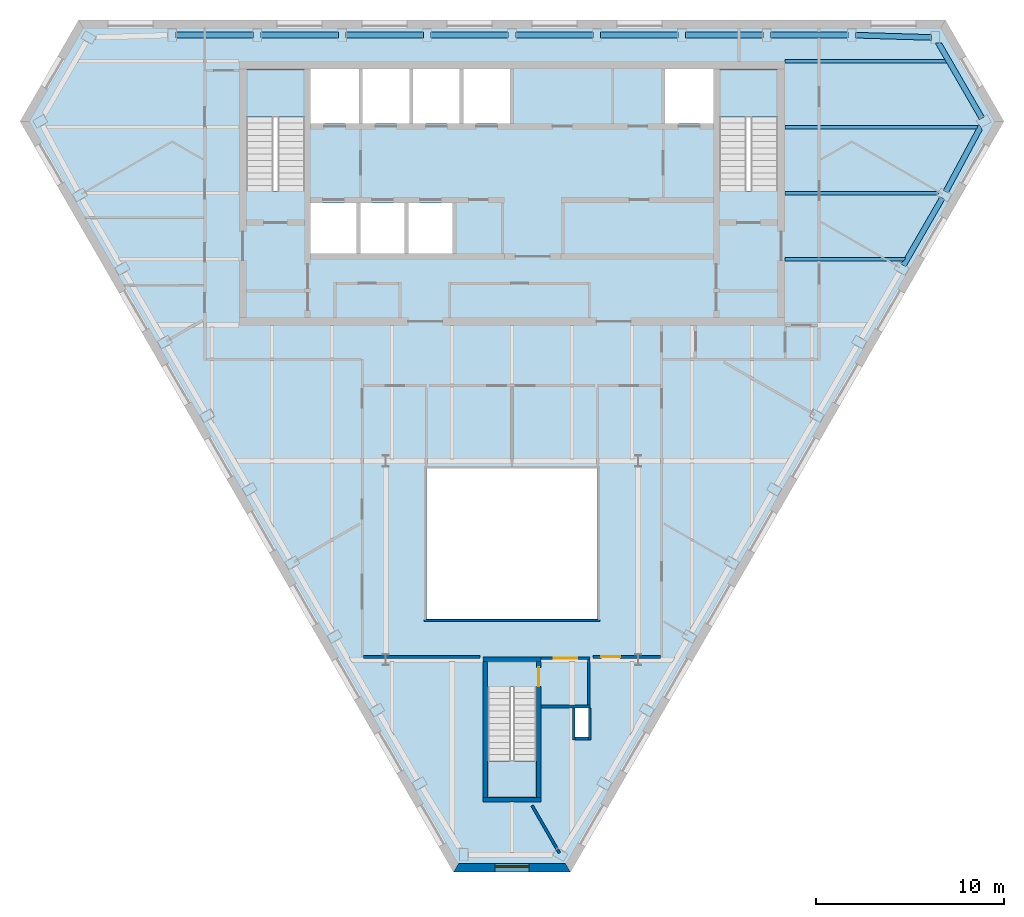
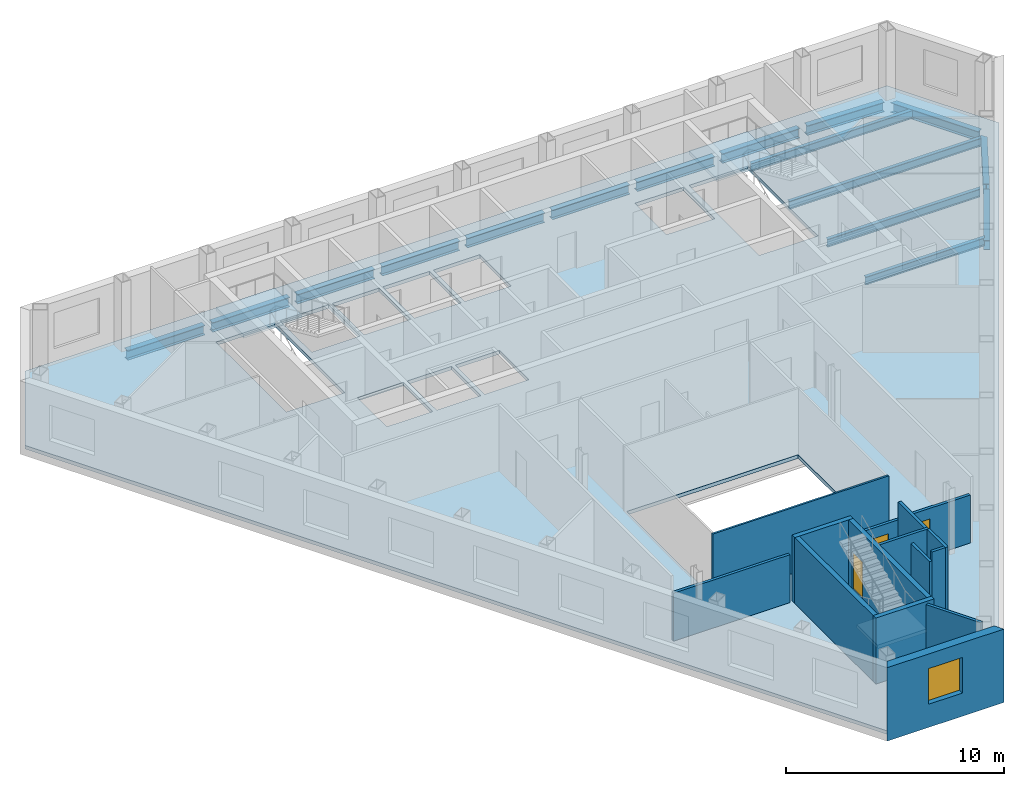
# One storey, part 3 of 10: 16 beams, 15 walls, 4 slabs, 3 doors, 1 window, 4 openings, 3 elements without a shape of their own.
"""IFC4 building model written with IfcOpenShell, lengths in metres."""

import ifcopenshell
import ifcopenshell.guid

model = None  # the IFC model being written
_history = None  # IfcOwnerHistory: only IFC2X3 demands one
_inside = {}  # id of a spatial element -> (the spatial element, [elements in it])
_under = {}  # id of a project, library or spatial element -> (it, [spatial elements below it])
_declared = {}  # id of a project -> (the project, [libraries it declares])
_typed = {}  # id of a type object -> (the type object, [elements of that type])
_made_of = {}  # id of a material, layer set ... -> (it, [elements and type objects made of it])


def new_model(schema):
    """Start an empty IFC model of exactly this schema.

    Asked for "IFC4X3", IfcOpenShell would pick the latest addendum, in which some entities
    have other attributes; the version numbers below select the first issue.
    IFC2X3 requires an IfcOwnerHistory on every rooted entity: one is made here for all.
    """
    global model, _history
    if schema == "IFC4X3":
        model = ifcopenshell.file(schema_version=(4, 3, 0, 0))
    else:
        model = ifcopenshell.file(schema=schema)
    _inside.clear()
    _under.clear()
    _declared.clear()
    _typed.clear()
    _made_of.clear()
    _history = None
    if model.schema == "IFC2X3":
        org = make("IfcOrganization", Name="unknown")
        user = make(
            "IfcPersonAndOrganization",
            ThePerson=make("IfcPerson", FamilyName="unknown"),
            TheOrganization=org,
        )
        app = make(
            "IfcApplication",
            ApplicationDeveloper=org,
            Version="unknown",
            ApplicationFullName="unknown",
            ApplicationIdentifier="unknown",
        )
        _history = make(
            "IfcOwnerHistory",
            OwningUser=user,
            OwningApplication=app,
            ChangeAction="ADDED",
            CreationDate=0,
        )
    return model


def make(cls, **values):
    """One entity of the class cls with the attributes given. An attribute that is None is left unset."""
    return model.create_entity(
        cls, **{name: value for name, value in values.items() if value is not None}
    )


def rooted(cls, **values):
    """An entity with a GlobalId (a new one), such as an element, a storey or a relation."""
    return make(cls, GlobalId=ifcopenshell.guid.new(), OwnerHistory=_history, **values)


def si_unit(unit_type, name, prefix=None):
    """IfcSIUnit, for example si_unit("LENGTHUNIT", "METRE", prefix="MILLI")."""
    return make("IfcSIUnit", UnitType=unit_type, Prefix=prefix, Name=name)


def assignment(units):
    """IfcUnitAssignment: the units of a project."""
    return None if units is None else make("IfcUnitAssignment", Units=units)


def point(xyz):
    """IfcCartesianPoint."""
    return None if xyz is None else make("IfcCartesianPoint", Coordinates=xyz)


def direction(xyz):
    """IfcDirection."""
    return None if xyz is None else make("IfcDirection", DirectionRatios=xyz)


def frame(location, z_axis=None, x_axis=None):
    """IfcAxis2Placement3D, a coordinate frame: its origin and axes. An axis left out is left unset."""
    return make(
        "IfcAxis2Placement3D",
        Location=point(location),
        Axis=direction(z_axis),
        RefDirection=direction(x_axis),
    )


def frame_2d(location, x_axis=None):
    """IfcAxis2Placement2D, a coordinate frame in the plane: its origin and x axis."""
    return make(
        "IfcAxis2Placement2D", Location=point(location), RefDirection=direction(x_axis)
    )


def origin():
    """The frame at (0, 0, 0) with its axes left unset."""
    return frame((0.0, 0.0, 0.0))


def origin_2d():
    """The frame at (0, 0) in the plane with its x axis left unset."""
    return frame_2d((0.0, 0.0))


def place(relative_to, where):
    """IfcLocalPlacement: puts the frame where relative to a parent placement (None: the world)."""
    return make(
        "IfcLocalPlacement", PlacementRelTo=relative_to, RelativePlacement=where
    )


def context(
    kind, dimensions, precision=None, world=None, true_north=None, identifier=None
):
    """IfcGeometricRepresentationContext, for example the 3D "Model" context."""
    return make(
        "IfcGeometricRepresentationContext",
        ContextIdentifier=identifier,
        ContextType=kind,
        CoordinateSpaceDimension=dimensions,
        Precision=precision,
        WorldCoordinateSystem=world,
        TrueNorth=true_north,
    )


def subcontext(parent, identifier, kind, view, scale=None):
    """IfcGeometricRepresentationSubContext, for example "Body" below "Model"."""
    return make(
        "IfcGeometricRepresentationSubContext",
        ContextIdentifier=identifier,
        ContextType=kind,
        ParentContext=parent,
        TargetScale=scale,
        TargetView=view,
    )


def project(units=None, contexts=None):
    """IfcProject with its units and contexts."""
    return rooted(
        "IfcProject",
        Name="project",
        RepresentationContexts=contexts,
        UnitsInContext=assignment(units),
    )


def spatial(cls, under=None, at=None, **own):
    """A site, building, storey or space (cls), placed at a placement, below another one or the project."""
    s = rooted(cls, ObjectPlacement=at, **own)
    if under is not None:
        _under.setdefault(under.id(), (under, []))[1].append(s)
    return s


def polyline(points):
    """IfcPolyline through the points."""
    return make("IfcPolyline", Points=[point(p) for p in points])


def profile(cls, at=None, kind="AREA", **sizes):
    """A parametric profile (cls). Its sizes go by their IFC names, for example OverallWidth=200.0."""
    return make(cls, ProfileType=kind, Position=at, **sizes)


def rectangle(**sizes):
    """IfcRectangleProfileDef."""
    return profile("IfcRectangleProfileDef", **sizes)


def i_section(**sizes):
    """IfcIShapeProfileDef."""
    return profile("IfcIShapeProfileDef", **sizes)


def outline(outer, holes=None, kind="AREA"):
    """IfcArbitraryClosedProfileDef: a profile drawn as a closed curve; with holes, ...WithVoids."""
    if holes is None:
        return make("IfcArbitraryClosedProfileDef", ProfileType=kind, OuterCurve=outer)
    return make(
        "IfcArbitraryProfileDefWithVoids",
        ProfileType=kind,
        OuterCurve=outer,
        InnerCurves=holes,
    )


def extrude(swept, where, along, depth):
    """IfcExtrudedAreaSolid: the profile swept, set in the frame where, extruded along a direction by depth."""
    return make(
        "IfcExtrudedAreaSolid",
        SweptArea=swept,
        Position=where,
        ExtrudedDirection=direction(along),
        Depth=depth,
    )


def clip(a, b, op="DIFFERENCE"):
    """IfcBooleanClippingResult: the solid a cut by the half space b."""
    return make(
        "IfcBooleanClippingResult", Operator=op, FirstOperand=a, SecondOperand=b
    )


def halfspace(plane, agree):
    """IfcHalfSpaceSolid: all space on one side of the plane z = 0 of the frame plane."""
    return make(
        "IfcHalfSpaceSolid",
        BaseSurface=make("IfcPlane", Position=plane),
        AgreementFlag=agree,
    )


def shape(context_of_items, identifier, shape_type, items):
    """IfcShapeRepresentation: the items that make up one representation, for example the "Body"."""
    return make(
        "IfcShapeRepresentation",
        ContextOfItems=context_of_items,
        RepresentationIdentifier=identifier,
        RepresentationType=shape_type,
        Items=items,
    )


def material(Name=None, Category=None):
    """IfcMaterial."""
    return make("IfcMaterial", Name=Name, Category=Category)


def layer(
    of_material, thickness, ventilated=None, Name=None, Category=None, Priority=None
):
    """IfcMaterialLayer: one layer of a wall or slab, of a material (None: an air gap)."""
    return make(
        "IfcMaterialLayer",
        Material=of_material,
        LayerThickness=thickness,
        IsVentilated=ventilated,
        Name=Name,
        Category=Category,
        Priority=Priority,
    )


def layer_set(layers, Name=None):
    """IfcMaterialLayerSet."""
    return make("IfcMaterialLayerSet", MaterialLayers=layers, LayerSetName=Name)


def material_profile(
    of_material, cross_section, Name=None, Category=None, Priority=None
):
    """IfcMaterialProfile: a cross section and its material."""
    return make(
        "IfcMaterialProfile",
        Name=Name,
        Material=of_material,
        Profile=cross_section,
        Priority=Priority,
        Category=Category,
    )


def profile_set(profiles, Name=None, composite=None):
    """IfcMaterialProfileSet."""
    return make(
        "IfcMaterialProfileSet",
        Name=Name,
        MaterialProfiles=profiles,
        CompositeProfile=composite,
    )


def made_of(thing, what):
    """Note that an element or type object is made of a material, layer set ...; save() writes the relation."""
    if what is not None:
        _made_of.setdefault(what.id(), (what, []))[1].append(thing)
    return thing


def type_object(cls, material=None, **own):
    """A type object (cls), such as IfcWallType, which elements share."""
    return made_of(rooted(cls, **own), material)


def element(
    cls,
    number,
    at=None,
    inside=None,
    cuts=None,
    type_object=None,
    material=None,
    context=None,
    identifier="Body",
    shape_type=None,
    held_by="IfcProductDefinitionShape",
    body=None,
    shapes=None,
    **own,
):
    """One element of the class cls, such as IfcWall. Its Tag is "e" and its number.

    at: its placement. inside: the storey or other place that contains it. cuts: it is an
    opening in that element (IfcRelVoidsElement). A single representation is given by context,
    identifier, shape_type and body (its items); several are given by shapes. held_by: the class
    of the entity that holds the representations. save() writes the other relations.
    """
    e = rooted(cls, Tag="e%d" % number, ObjectPlacement=at, **own)
    if body is not None:
        shapes = [shape(context, identifier, shape_type, body)]
    if shapes is not None:
        e.Representation = make(held_by, Representations=shapes)
    if inside is not None:
        _inside.setdefault(inside.id(), (inside, []))[1].append(e)
    if cuts is not None:
        rooted(
            "IfcRelVoidsElement", RelatingBuildingElement=cuts, RelatedOpeningElement=e
        )
    if type_object is not None:
        _typed.setdefault(type_object.id(), (type_object, []))[1].append(e)
    return made_of(e, material)


def fill(opening, filler):
    """IfcRelFillsElement: the door or window that sits in an opening."""
    return rooted(
        "IfcRelFillsElement",
        RelatingOpeningElement=opening,
        RelatedBuildingElement=filler,
    )


def aggregate(whole, parts):
    """IfcRelAggregates: a whole, such as a stair, and the parts it consists of."""
    return rooted("IfcRelAggregates", RelatingObject=whole, RelatedObjects=parts)


def save(model, path):
    """Write the relations noted so far, then the file.

    IfcRelAggregates (storeys below a building ...), IfcRelContainedInSpatialStructure (elements
    in a storey), IfcRelDefinesByType, IfcRelAssociatesMaterial and IfcRelDeclares: one each for
    every whole, place, type object, material and project.
    """
    for whole, parts in _under.values():
        aggregate(whole, parts)
    for where, things in _inside.values():
        rooted(
            "IfcRelContainedInSpatialStructure",
            RelatedElements=things,
            RelatingStructure=where,
        )
    for kind, things in _typed.values():
        rooted("IfcRelDefinesByType", RelatedObjects=things, RelatingType=kind)
    for what, things in _made_of.values():
        rooted("IfcRelAssociatesMaterial", RelatedObjects=things, RelatingMaterial=what)
    for by, libraries in _declared.values():
        rooted("IfcRelDeclares", RelatingContext=by, RelatedDefinitions=libraries)
    model.write(path)


model = new_model("IFC4")

# Units and contexts
model_context = context("Model", 3, precision=1e-05, world=origin(), true_north=direction((0.0, 1.0)))
body_context = subcontext(model_context, "Body", "Model", "MODEL_VIEW")
ifc_project = project(units=[si_unit("LENGTHUNIT", "METRE"), si_unit("AREAUNIT", "SQUARE_METRE"), si_unit("VOLUMEUNIT", "CUBIC_METRE"), si_unit("PLANEANGLEUNIT", "RADIAN"), si_unit("MASSUNIT", "GRAM", prefix="KILO")], contexts=[model_context])

# Site, building, storey
site_placement = place(None, origin())
site = spatial("IfcSite", under=ifc_project, at=site_placement, CompositionType="ELEMENT")
building_placement = place(site_placement, origin())
building = spatial("IfcBuilding", under=site, at=building_placement, Name="Njiva Tower", CompositionType="ELEMENT")
storey_placement = place(building_placement, frame((0.0, 0.0, 253.2)))
storey = spatial("IfcBuildingStorey", under=building, at=storey_placement, Name="L57", CompositionType="ELEMENT", Elevation=253.2)

# Beams
ifc_material_1 = material(Name="Steel S355 J2", Category="steel")
ifc_material_profile_1 = material_profile(ifc_material_1, i_section(OverallWidth=0.19, OverallDepth=0.45, WebThickness=0.0094, FlangeThickness=0.0146, at=origin_2d()), Name="IPE 450")
ifc_profile_set_1 = profile_set([ifc_material_profile_1], Name="Steel S355 J2")
beam_type_1 = type_object("IfcBeamType", Name="B37 Floor beam to the core IPE 450", PredefinedType="BEAM", material=ifc_profile_set_1)
beam_1_placement = place(storey_placement, frame((14.5, 7.5, -0.425), z_axis=(1.0, 0.0, 0.0), x_axis=(0.0, 1.0, 0.0)))
element("IfcBeam", 1, at=beam_1_placement, inside=storey, type_object=beam_type_1, Name="Floor beam to the core S18-B015", PredefinedType="BEAM", context=body_context, shape_type="Clipping", body=[
    clip(extrude(i_section(OverallWidth=0.19, OverallDepth=0.45, WebThickness=0.0094, FlangeThickness=0.0146, at=origin_2d()), origin(), (0.0, 0.0, 1.0), 6.418), halfspace(frame((-0.025, 0.0, 6.329), z_axis=(-0.499998009787, 0.0, 0.866026552831), x_axis=(0.0, 1.0, 0.0)), False)),
])
beam_2_placement = place(storey_placement, frame((14.5, 11.0, -0.425), z_axis=(1.0, 0.0, 0.0), x_axis=(0.0, 1.0, 0.0)))
element("IfcBeam", 2, at=beam_2_placement, inside=storey, type_object=beam_type_1, Name="Floor beam to the core S18-B016", PredefinedType="BEAM", context=body_context, shape_type="Clipping", body=[
    clip(extrude(i_section(OverallWidth=0.19, OverallDepth=0.45, WebThickness=0.0094, FlangeThickness=0.0146, at=origin_2d()), origin(), (0.0, 0.0, 1.0), 8.209), halfspace(frame((-0.025, 0.0, 8.1191), z_axis=(-0.499998009787, 0.0, 0.866026552831), x_axis=(0.0, 1.0, 0.0)), False)),
])
beam_3_placement = place(storey_placement, frame((14.5, 18.0, -0.425), z_axis=(1.0, 0.0, 0.0), x_axis=(0.0, 1.0, 0.0)))
element("IfcBeam", 3, at=beam_3_placement, inside=storey, type_object=beam_type_1, Name="Floor beam to the core S18-B019", PredefinedType="BEAM", context=body_context, shape_type="Clipping", body=[
    clip(extrude(i_section(OverallWidth=0.19, OverallDepth=0.45, WebThickness=0.0094, FlangeThickness=0.0146, at=origin_2d()), origin(), (0.0, 0.0, 1.0), 8.657), halfspace(frame((0.025, 0.0, 8.5678), z_axis=(0.499998009787, 0.0, 0.866026552831), x_axis=(0.0, 1.0, 0.0)), False)),
])
ifc_material_profile_2 = material_profile(ifc_material_1, i_section(OverallWidth=0.3, OverallDepth=0.54, WebThickness=0.0125, FlangeThickness=0.024, at=origin_2d()), Name="HEA 550")
ifc_profile_set_2 = profile_set([ifc_material_profile_2], Name="Steel S355 J2")
beam_type_2 = type_object("IfcBeamType", Name="B39 Short-span spandrel beam HEA 550", PredefinedType="SPANDREL", material=ifc_profile_set_2)
beam_4_placement = place(storey_placement, frame((22.262, 19.273, -0.47), z_axis=(-0.999548216451, 0.030055997562, 0.0), x_axis=(-0.030055997562, -0.999548216451, 0.0)))
element("IfcBeam", 4, at=beam_4_placement, inside=storey, type_object=beam_type_2, Name="Short-span spandrel beam S18-B137", PredefinedType="SPANDREL", context=body_context, shape_type="SweptSolid", body=[
    extrude(i_section(OverallWidth=0.3, OverallDepth=0.54, WebThickness=0.0125, FlangeThickness=0.024, at=origin_2d()), origin(), (0.0, 0.0, 1.0), 4.0258),
])
beam_5_placement = place(storey_placement, frame((17.834, 19.4, -0.47), z_axis=(-1.0, 0.0, 0.0), x_axis=(0.0, -1.0, 0.0)))
element("IfcBeam", 5, at=beam_5_placement, inside=storey, type_object=beam_type_2, Name="Short-span spandrel beam S18-B131", PredefinedType="SPANDREL", context=body_context, shape_type="SweptSolid", body=[
    extrude(i_section(OverallWidth=0.3, OverallDepth=0.54, WebThickness=0.0125, FlangeThickness=0.024, at=origin_2d()), origin(), (0.0, 0.0, 1.0), 4.108),
])
beam_6_placement = place(storey_placement, frame((13.326, 19.4, -0.47), z_axis=(-1.0, 0.0, 0.0), x_axis=(0.0, -1.0, 0.0)))
element("IfcBeam", 6, at=beam_6_placement, inside=storey, type_object=beam_type_2, Name="Short-span spandrel beam S18-B125", PredefinedType="SPANDREL", context=body_context, shape_type="SweptSolid", body=[
    extrude(i_section(OverallWidth=0.3, OverallDepth=0.54, WebThickness=0.0125, FlangeThickness=0.024, at=origin_2d()), origin(), (0.0, 0.0, 1.0), 4.109),
])
beam_7_placement = place(storey_placement, frame((8.817, 19.4, -0.47), z_axis=(-1.0, 0.0, 0.0), x_axis=(0.0, -1.0, 0.0)))
element("IfcBeam", 7, at=beam_7_placement, inside=storey, type_object=beam_type_2, Name="Short-span spandrel beam S18-B119", PredefinedType="SPANDREL", context=body_context, shape_type="SweptSolid", body=[
    extrude(i_section(OverallWidth=0.3, OverallDepth=0.54, WebThickness=0.0125, FlangeThickness=0.024, at=origin_2d()), origin(), (0.0, 0.0, 1.0), 4.108),
])
for number, where, z_axis, x_axis, name in (
    (8, (4.309, 19.4, -0.47), (-1.0, 0.0, 0.0), (0.0, -1.0, 0.0), "Short-span spandrel beam S18-B116"),
    (9, (-0.2, 19.4, -0.47), (-1.0, 0.0, 0.0), (0.0, -1.0, 0.0), "Short-span spandrel beam S18-B113"),
):
    element("IfcBeam", number, at=place(storey_placement, frame(where, z_axis=z_axis, x_axis=x_axis)), inside=storey, type_object=beam_type_2, Name=name, PredefinedType="SPANDREL", context=body_context, shape_type="SweptSolid", body=[
        extrude(i_section(OverallWidth=0.3, OverallDepth=0.54, WebThickness=0.0125, FlangeThickness=0.024, at=origin_2d()), origin(), (0.0, 0.0, 1.0), 4.109),
    ])
beam_8_placement = place(storey_placement, frame((-4.709, 19.4, -0.47), z_axis=(-1.0, 0.0, 0.0), x_axis=(0.0, -1.0, 0.0)))
element("IfcBeam", 10, at=beam_8_placement, inside=storey, type_object=beam_type_2, Name="Short-span spandrel beam S18-B108", PredefinedType="SPANDREL", context=body_context, shape_type="SweptSolid", body=[
    extrude(i_section(OverallWidth=0.3, OverallDepth=0.54, WebThickness=0.0125, FlangeThickness=0.024, at=origin_2d()), origin(), (0.0, 0.0, 1.0), 4.108),
])
beam_9_placement = place(storey_placement, frame((-9.217, 19.4, -0.47), z_axis=(-1.0, 0.0, 0.0), x_axis=(0.0, -1.0, 0.0)))
element("IfcBeam", 11, at=beam_9_placement, inside=storey, type_object=beam_type_2, Name="Short-span spandrel beam S18-B102", PredefinedType="SPANDREL", context=body_context, shape_type="SweptSolid", body=[
    extrude(i_section(OverallWidth=0.3, OverallDepth=0.54, WebThickness=0.0125, FlangeThickness=0.024, at=origin_2d()), origin(), (0.0, 0.0, 1.0), 4.109),
])
beam_10_placement = place(storey_placement, frame((-13.726, 19.4, -0.47), z_axis=(-1.0, 0.0, 0.0), x_axis=(0.0, -1.0, 0.0)))
element("IfcBeam", 12, at=beam_10_placement, inside=storey, type_object=beam_type_2, Name="Short-span spandrel beam S18-B096", PredefinedType="SPANDREL", context=body_context, shape_type="SweptSolid", body=[
    extrude(i_section(OverallWidth=0.3, OverallDepth=0.54, WebThickness=0.0125, FlangeThickness=0.024, at=origin_2d()), origin(), (0.0, 0.0, 1.0), 4.108),
])
beam_11_placement = place(storey_placement, frame((20.778, 7.186, -0.47), z_axis=(0.499961250474, 0.866047774678, 0.0), x_axis=(-0.866047774678, 0.499961250474, 0.0)))
element("IfcBeam", 13, at=beam_11_placement, inside=storey, type_object=beam_type_2, Name="Short-span spandrel beam S18-B141", PredefinedType="SPANDREL", context=body_context, shape_type="SweptSolid", body=[
    extrude(i_section(OverallWidth=0.3, OverallDepth=0.54, WebThickness=0.0125, FlangeThickness=0.024, at=origin_2d()), origin(), (0.0, 0.0, 1.0), 4.1083),
])
beam_12_placement = place(storey_placement, frame((23.028, 11.097, -0.47), z_axis=(0.473930673302, 0.880562159591, 0.0), x_axis=(-0.880562159591, 0.473930673302, 0.0)))
element("IfcBeam", 14, at=beam_12_placement, inside=storey, type_object=beam_type_2, Name="Short-span spandrel beam S18-B145", PredefinedType="SPANDREL", context=body_context, shape_type="Clipping", body=[
    clip(extrude(i_section(OverallWidth=0.3, OverallDepth=0.54, WebThickness=0.0125, FlangeThickness=0.024, at=origin_2d()), origin(), (0.0, 0.0, 1.0), 3.9912), halfspace(frame((-0.026, 0.0, 3.8617), z_axis=(-0.525625818196, 0.0, 0.85071587457), x_axis=(0.0, 1.0, 0.0)), False)),
])
ifc_material_profile_3 = material_profile(ifc_material_1, i_section(OverallWidth=0.3, OverallDepth=0.54, WebThickness=0.0125, FlangeThickness=0.024, at=origin_2d()), Name="HEA 550")
ifc_profile_set_3 = profile_set([ifc_material_profile_3], Name="Steel S355 J2")
beam_type_3 = type_object("IfcBeamType", Name="B44 Spandrel beam HEA 550", PredefinedType="SPANDREL", material=ifc_profile_set_3)
beam_13_placement = place(storey_placement, frame((24.933, 14.995, -0.47), z_axis=(-0.50012503653, 0.865953201874, 0.0), x_axis=(-0.865953201874, -0.50012503653, 0.0)))
element("IfcBeam", 15, at=beam_13_placement, inside=storey, type_object=beam_type_3, Name="Spandrel beam S18-B142", PredefinedType="SPANDREL", context=body_context, shape_type="Clipping", body=[
    clip(extrude(i_section(OverallWidth=0.3, OverallDepth=0.54, WebThickness=0.0125, FlangeThickness=0.024, at=origin_2d()), origin(), (0.0, 0.0, 1.0), 4.6939), halfspace(frame((-0.0254, 0.0, 4.5722), z_axis=(-0.50012503653, 0.0, 0.865953201874), x_axis=(0.0, 1.0, 0.0)), False)),
])
ifc_material_profile_4 = material_profile(ifc_material_1, i_section(OverallWidth=0.19, OverallDepth=0.45, WebThickness=0.0094, FlangeThickness=0.0146, at=origin_2d()), Name="IPE 450")
ifc_profile_set_4 = profile_set([ifc_material_profile_4], Name="Steel S355 J2")
beam_type_4 = type_object("IfcBeamType", Name="B45 Long-span floor beam to the core IPE 450", PredefinedType="BEAM", material=ifc_profile_set_4)
beam_14_placement = place(storey_placement, frame((14.5, 14.5, -0.425), z_axis=(1.0, 0.0, 0.0), x_axis=(0.0, 1.0, 0.0)))
element("IfcBeam", 16, at=beam_14_placement, inside=storey, type_object=beam_type_4, Name="Long-span floor beam to the core S18-B018", PredefinedType="BEAM", context=body_context, shape_type="Clipping", body=[
    clip(extrude(i_section(OverallWidth=0.19, OverallDepth=0.45, WebThickness=0.0094, FlangeThickness=0.0146, at=origin_2d()), origin(), (0.0, 0.0, 1.0), 10.447), halfspace(frame((0.025, 0.0, 10.3581), z_axis=(0.499998009787, 0.0, 0.866026552831), x_axis=(0.0, 1.0, 0.0)), False)),
])

# Stair, slab
ifc_material_2 = material(Name="Concrete C40/50", Category="concrete")
stair_type_1 = type_object("IfcStairType", Name="ST3 Exit stair 1450", PredefinedType="HALF_TURN_STAIR", material=ifc_material_2)
stair_1_placement = place(storey_placement, origin())
stair_1 = element("IfcStair", 17, at=stair_1_placement, inside=storey, type_object=stair_type_1, Name="Stair A", PredefinedType="HALF_TURN_STAIR")
ifc_layer_1 = layer(ifc_material_2, 0.2)
ifc_layer_set_1 = layer_set([ifc_layer_1], Name="Concrete C40/50")
slab_type_1 = type_object("IfcSlabType", Name="FL9 Stair landing 200", PredefinedType="LANDING", material=ifc_layer_set_1)
slab_1_placement = place(storey_placement, frame((0.0, 0.0, 1.75)))
slab_1 = element("IfcSlab", 18, at=slab_1_placement, type_object=slab_type_1, Name="ST-A landing 1", PredefinedType="LANDING", context=body_context, shape_type="SweptSolid", body=[
    extrude(outline(polyline([(-14.106, 15.06), (-10.994, 15.06), (-10.994, 17.6), (-14.106, 17.6), (-14.106, 15.06)])), origin(), (0.0, 0.0, 1.0), 0.2),
])
aggregate(stair_1, [slab_1])

stair_2_placement = place(storey_placement, origin())
stair_2 = element("IfcStair", 19, at=stair_2_placement, inside=storey, type_object=stair_type_1, Name="Stair B", PredefinedType="HALF_TURN_STAIR")
slab_2_placement = place(storey_placement, frame((0.0, 0.0, 1.75)))
slab_2 = element("IfcSlab", 20, at=slab_2_placement, type_object=slab_type_1, Name="ST-B landing 1", PredefinedType="LANDING", context=body_context, shape_type="SweptSolid", body=[
    extrude(outline(polyline([(10.994, 15.06), (14.106, 15.06), (14.106, 17.6), (10.994, 17.6), (10.994, 15.06)])), origin(), (0.0, 0.0, 1.0), 0.2),
])
aggregate(stair_2, [slab_2])

stair_type_2 = type_object("IfcStairType", Name="ST1 Exit stair 1250", PredefinedType="HALF_TURN_STAIR", material=ifc_material_2)
stair_3_placement = place(storey_placement, origin())
stair_3 = element("IfcStair", 21, at=stair_3_placement, inside=storey, type_object=stair_type_2, Name="Stair C", PredefinedType="HALF_TURN_STAIR")
slab_3_placement = place(storey_placement, frame((0.0, 0.0, 1.75)))
slab_3 = element("IfcSlab", 22, at=slab_3_placement, type_object=slab_type_1, Name="ST-C landing 1", PredefinedType="LANDING", context=body_context, shape_type="SweptSolid", body=[
    extrude(outline(polyline([(-1.306, -21.05), (1.306, -21.05), (1.306, -19.12), (-1.306, -19.12), (-1.306, -21.05)])), origin(), (0.0, 0.0, 1.0), 0.2),
])
aggregate(stair_3, [slab_3])

# Slab
ifc_material_3 = material(Name="Concrete C30/37", Category="concrete")
ifc_layer_2 = layer(ifc_material_3, 0.2)
ifc_layer_set_2 = layer_set([ifc_layer_2], Name="Concrete C30/37")
slab_type_2 = type_object("IfcSlabType", Name="SL16 Composite floor slab 200", PredefinedType="FLOOR", material=ifc_layer_set_2)
slab_4_placement = place(storey_placement, frame((0.0, 0.0, -0.2)))
element("IfcSlab", 23, at=slab_4_placement, inside=storey, type_object=slab_type_2, Name="Floor slab L57", PredefinedType="FLOOR", context=body_context, shape_type="SweptSolid", body=[
    extrude(outline(polyline([(25.8502, 14.822), (2.9751, -24.7988), (-2.9751, -24.7988), (-25.8502, 14.822), (-22.8751, 19.975), (22.8751, 19.975), (25.8502, 14.822)]), holes=[polyline([(10.994, 11.13), (14.106, 11.13), (14.106, 17.6), (10.994, 17.6), (10.994, 11.13)]), polyline([(8.125, 14.7), (10.7, 14.7), (10.7, 17.6), (8.125, 17.6), (8.125, 14.7)]), polyline([(4.55, -11.6), (4.55, -3.6), (-4.55, -3.6), (-4.55, -11.6), (4.55, -11.6)]), polyline([(3.35, -17.85), (4.05, -17.85), (4.05, -16.3), (3.35, -16.3), (3.35, -17.85)]), polyline([(-1.306, -21.05), (1.306, -21.05), (1.306, -15.19), (-1.306, -15.19), (-1.306, -21.05)]), polyline([(-2.575, 14.7), (-0.1, 14.7), (-0.1, 17.6), (-2.575, 17.6), (-2.575, 14.7)]), polyline([(-2.775, 14.7), (-2.775, 17.6), (-5.25, 17.6), (-5.25, 14.7), (-2.775, 14.7)]), polyline([(-5.5, 7.8), (-3.15, 7.8), (-3.15, 10.5), (-5.5, 10.5), (-5.5, 7.8)]), polyline([(-7.925, 14.7), (-5.45, 14.7), (-5.45, 17.6), (-7.925, 17.6), (-7.925, 14.7)]), polyline([(-8.05, 7.8), (-5.7, 7.8), (-5.7, 10.5), (-8.05, 10.5), (-8.05, 7.8)]), polyline([(-10.7, 14.7), (-8.125, 14.7), (-8.125, 17.6), (-10.7, 17.6), (-10.7, 14.7)]), polyline([(-8.25, 7.8), (-8.25, 10.5), (-10.7, 10.5), (-10.7, 7.8), (-8.25, 7.8)]), polyline([(-10.994, 11.13), (-10.994, 17.6), (-14.106, 17.6), (-14.106, 11.13), (-10.994, 11.13)])]), origin(), (0.0, 0.0, 1.0), 0.2),
])

# Walls
ifc_material_4 = material(Name="Gypsum board on steel studs", Category="gypsum")
ifc_layer_3 = layer(ifc_material_4, 0.15)
ifc_layer_set_3 = layer_set([ifc_layer_3], Name="Gypsum board on steel studs")
wall_type_1 = type_object("IfcWallType", Name="WT21 Compartment wall 150", PredefinedType="PARTITIONING", material=ifc_layer_set_3)
wall_1_placement = place(storey_placement, frame((-7.875, -13.6, 0.0), z_axis=(0.0, 0.0, 1.0), x_axis=(1.0, 0.0, 0.0)))
element("IfcWall", 24, at=wall_1_placement, inside=storey, type_object=wall_type_1, Name="Partition S18-P012", PredefinedType="PARTITIONING", context=body_context, shape_type="SweptSolid", body=[
    extrude(rectangle(XDim=6.175, YDim=0.15, at=frame_2d((3.0875, 0.0))), origin(), (0.0, 0.0, 1.0), 2.692),
])
wall_2_placement = place(storey_placement, frame((1.063, -21.487, 0.0), z_axis=(0.0, 0.0, 1.0), x_axis=(0.499543741449, -0.866288664579, 0.0)))
element("IfcWall", 25, at=wall_2_placement, inside=storey, type_object=wall_type_1, Name="Partition S18-P017", PredefinedType="PARTITIONING", context=body_context, shape_type="SweptSolid", body=[
    extrude(rectangle(XDim=2.9067, YDim=0.15, at=frame_2d((1.4534, 0.0))), origin(), (0.0, 0.0, 1.0), 3.7),
])

# Wall, opening, door
wall_3_placement = place(storey_placement, frame((4.3, -13.6, 0.0), z_axis=(0.0, 0.0, 1.0), x_axis=(1.0, 0.0, 0.0)))
wall_3 = element("IfcWall", 26, at=wall_3_placement, inside=storey, type_object=wall_type_1, Name="Partition S18-P018", PredefinedType="PARTITIONING", context=body_context, shape_type="SweptSolid", body=[
    extrude(rectangle(XDim=3.575, YDim=0.15, at=frame_2d((1.7875, 0.0))), origin(), (0.0, 0.0, 1.0), 2.692),
])
opening_1_placement = place(wall_3_placement, frame((0.438, 0.0, 0.0)))
opening_1 = element("IfcOpeningElement", 27, at=opening_1_placement, cuts=wall_3, Name="Opening S18-D012", PredefinedType="OPENING", context=body_context, shape_type="SweptSolid", body=[
    extrude(rectangle(XDim=1.0, YDim=2.1, at=frame_2d((0.5, 1.05))), frame((0.0, 0.085, 0.0), z_axis=(0.0, -1.0, 0.0), x_axis=(1.0, 0.0, 0.0)), (0.0, 0.0, 1.0), 0.17),
])
ifc_material_5 = material(Name="Steel fire door set", Category="steel")
door_type_1 = type_object("IfcDoorType", Name="D37 Fire door 1000x2100", OperationType="SINGLE_SWING_LEFT", PredefinedType="DOOR", material=ifc_material_5)
door_1_placement = place(opening_1_placement, origin())
door_1 = element("IfcDoor", 28, at=door_1_placement, inside=storey, type_object=door_type_1, Name="Door S18-D012", OperationType="SINGLE_SWING_LEFT", OverallHeight=2.1, OverallWidth=1.0, PredefinedType="DOOR", context=body_context, shape_type="SweptSolid", body=[
    extrude(rectangle(XDim=1.0, YDim=2.1, at=frame_2d((0.5, 1.05))), frame((0.0, 0.025, 0.0), z_axis=(0.0, -1.0, 0.0), x_axis=(1.0, 0.0, 0.0)), (0.0, 0.0, 1.0), 0.05),
])
fill(opening_1, door_1)

# Walls
ifc_material_6 = material(Name="Blockwork", Category="masonry")
ifc_layer_4 = layer(ifc_material_6, 0.15)
ifc_layer_set_4 = layer_set([ifc_layer_4], Name="Blockwork")
wall_type_2 = type_object("IfcWallType", Name="WT4 Stair partition 150", PredefinedType="PARTITIONING", material=ifc_layer_set_4)
wall_4_placement = place(storey_placement, frame((1.55, -16.225, 0.0), z_axis=(0.0, 0.0, 1.0), x_axis=(1.0, 0.0, 0.0)))
element("IfcWall", 29, at=wall_4_placement, inside=storey, type_object=wall_type_2, Name="Stair C vestibule wall south", PredefinedType="PARTITIONING", context=body_context, shape_type="SweptSolid", body=[
    extrude(rectangle(XDim=2.6, YDim=0.15, at=frame_2d((1.3, 0.0))), origin(), (0.0, 0.0, 1.0), 3.7),
])
wall_5_placement = place(storey_placement, frame((4.075, -16.15, 0.0), z_axis=(0.0, 0.0, 1.0), x_axis=(0.0, 1.0, 0.0)))
element("IfcWall", 30, at=wall_5_placement, inside=storey, type_object=wall_type_2, Name="Stair C vestibule wall east", PredefinedType="PARTITIONING", context=body_context, shape_type="SweptSolid", body=[
    extrude(rectangle(XDim=2.4, YDim=0.15, at=frame_2d((1.2, 0.0))), origin(), (0.0, 0.0, 1.0), 3.7),
])

# Wall, opening, door
wall_6_placement = place(storey_placement, frame((1.55, -13.675, 0.0), z_axis=(0.0, 0.0, 1.0), x_axis=(1.0, 0.0, 0.0)))
wall_6 = element("IfcWall", 31, at=wall_6_placement, inside=storey, type_object=wall_type_2, Name="Stair C vestibule wall north", PredefinedType="PARTITIONING", context=body_context, shape_type="SweptSolid", body=[
    extrude(rectangle(XDim=2.6, YDim=0.15, at=frame_2d((1.3, 0.0))), origin(), (0.0, 0.0, 1.0), 2.692),
])
opening_2_placement = place(wall_6_placement, frame((0.675, 0.0, 0.0)))
opening_2 = element("IfcOpeningElement", 32, at=opening_2_placement, cuts=wall_6, Name="Opening S18-D929", PredefinedType="OPENING", context=body_context, shape_type="SweptSolid", body=[
    extrude(rectangle(XDim=1.25, YDim=2.1, at=frame_2d((0.625, 1.05))), frame((0.0, 0.085, 0.0), z_axis=(0.0, -1.0, 0.0), x_axis=(1.0, 0.0, 0.0)), (0.0, 0.0, 1.0), 0.17),
])
ifc_material_7 = material(Name="Glazed steel fire door", Category="steel")
door_type_2 = type_object("IfcDoorType", Name="D8 Vestibule corridor door 1250x2100 glazed", OperationType="SINGLE_SWING_LEFT", PredefinedType="DOOR", material=ifc_material_7)
door_2_placement = place(opening_2_placement, origin())
door_2 = element("IfcDoor", 33, at=door_2_placement, inside=storey, type_object=door_type_2, Name="Stair vestibule corridor door", OperationType="SINGLE_SWING_RIGHT", OverallHeight=2.1, OverallWidth=1.25, PredefinedType="DOOR", context=body_context, shape_type="SweptSolid", body=[
    extrude(rectangle(XDim=1.25, YDim=2.1, at=frame_2d((0.625, 1.05))), frame((0.0, 0.025, 0.0), z_axis=(0.0, -1.0, 0.0), x_axis=(1.0, 0.0, 0.0)), (0.0, 0.0, 1.0), 0.05),
])
fill(opening_2, door_2)

# Walls
wall_7_placement = place(storey_placement, frame((3.275, -18.0, 0.0), z_axis=(0.0, 0.0, 1.0), x_axis=(0.0, 1.0, 0.0)))
element("IfcWall", 34, at=wall_7_placement, inside=storey, type_object=wall_type_2, Name="Stair C pressurisation shaft wall", PredefinedType="PARTITIONING", context=body_context, shape_type="SweptSolid", body=[
    extrude(rectangle(XDim=1.7, YDim=0.15, at=frame_2d((0.85, 0.0))), origin(), (0.0, 0.0, 1.0), 3.2),
])
wall_8_placement = place(storey_placement, frame((3.35, -17.925, 0.0), z_axis=(0.0, 0.0, 1.0), x_axis=(1.0, 0.0, 0.0)))
element("IfcWall", 35, at=wall_8_placement, inside=storey, type_object=wall_type_2, Name="Stair C pressurisation shaft wall", PredefinedType="PARTITIONING", context=body_context, shape_type="SweptSolid", body=[
    extrude(rectangle(XDim=0.7, YDim=0.15, at=frame_2d((0.35, 0.0))), origin(), (0.0, 0.0, 1.0), 3.7),
])
wall_9_placement = place(storey_placement, frame((4.125, -18.0, 0.0), z_axis=(0.0, 0.0, 1.0), x_axis=(0.0, 1.0, 0.0)))
element("IfcWall", 36, at=wall_9_placement, inside=storey, type_object=wall_type_2, Name="Stair C pressurisation shaft wall", PredefinedType="PARTITIONING", context=body_context, shape_type="SweptSolid", body=[
    extrude(rectangle(XDim=1.7, YDim=0.15, at=frame_2d((0.85, 0.0))), origin(), (0.0, 0.0, 1.0), 3.7),
])
ifc_layer_5 = layer(ifc_material_2, 0.25)
ifc_layer_set_5 = layer_set([ifc_layer_5], Name="Concrete C40/50")
wall_type_3 = type_object("IfcWallType", Name="WT9 Stair enclosure wall 250", PredefinedType="SHEAR", material=ifc_layer_set_5)
wall_10_placement = place(storey_placement, frame((-1.425, -21.05, 0.0), z_axis=(0.0, 0.0, 1.0), x_axis=(0.0, 1.0, 0.0)))
element("IfcWall", 37, at=wall_10_placement, inside=storey, type_object=wall_type_3, Name="Stair C wall west", PredefinedType="SHEAR", context=body_context, shape_type="SweptSolid", body=[
    extrude(rectangle(XDim=7.2, YDim=0.25, at=frame_2d((3.6, 0.0))), origin(), (0.0, 0.0, 1.0), 3.7),
])

# Wall, opening, door
wall_11_placement = place(storey_placement, frame((1.425, -21.05, 0.0), z_axis=(0.0, 0.0, 1.0), x_axis=(0.0, 1.0, 0.0)))
wall_11 = element("IfcWall", 38, at=wall_11_placement, inside=storey, type_object=wall_type_3, Name="Stair C wall east", PredefinedType="SHEAR", context=body_context, shape_type="SweptSolid", body=[
    extrude(rectangle(XDim=7.2, YDim=0.25, at=frame_2d((3.6, 0.0))), origin(), (0.0, 0.0, 1.0), 3.7),
])
opening_3_placement = place(wall_11_placement, frame((5.89, 0.0, 0.0)))
opening_3 = element("IfcOpeningElement", 39, at=opening_3_placement, cuts=wall_11, Name="Opening S18-D928", PredefinedType="OPENING", context=body_context, shape_type="SweptSolid", body=[
    extrude(rectangle(XDim=1.0, YDim=2.1, at=frame_2d((0.5, 1.05))), frame((0.0, 0.135, 0.0), z_axis=(0.0, -1.0, 0.0), x_axis=(1.0, 0.0, 0.0)), (0.0, 0.0, 1.0), 0.27),
])
door_type_3 = type_object("IfcDoorType", Name="D9 Stair vestibule door 1000x2100 glazed", OperationType="SINGLE_SWING_LEFT", PredefinedType="DOOR", material=ifc_material_7)
door_3_placement = place(opening_3_placement, origin())
door_3 = element("IfcDoor", 40, at=door_3_placement, inside=storey, type_object=door_type_3, Name="Stair C door", OperationType="SINGLE_SWING_LEFT", OverallHeight=2.1, OverallWidth=1.0, PredefinedType="DOOR", context=body_context, shape_type="SweptSolid", body=[
    extrude(rectangle(XDim=1.0, YDim=2.1, at=frame_2d((0.5, 1.05))), frame((0.0, 0.025, 0.0), z_axis=(0.0, -1.0, 0.0), x_axis=(1.0, 0.0, 0.0)), (0.0, 0.0, 1.0), 0.05),
])
fill(opening_3, door_3)

# Walls
for number, where, z_axis, x_axis, name in (
    (41, (-1.55, -21.175, 0.0), (0.0, 0.0, 1.0), (1.0, 0.0, 0.0), "Stair C wall south"),
    (42, (-1.55, -13.725, 0.0), (0.0, 0.0, 1.0), (1.0, 0.0, 0.0), "Stair C wall north"),
):
    element("IfcWall", number, at=place(storey_placement, frame(where, z_axis=z_axis, x_axis=x_axis)), inside=storey, type_object=wall_type_3, Name=name, PredefinedType="SHEAR", context=body_context, shape_type="SweptSolid", body=[
        extrude(rectangle(XDim=3.1, YDim=0.25, at=frame_2d((1.55, 0.0))), origin(), (0.0, 0.0, 1.0), 3.7),
    ])

# Wall, opening, window
ifc_material_8 = material(Name="Brick masonry, buff", Category="masonry")
ifc_layer_6 = layer(ifc_material_8, 0.45)
ifc_layer_set_6 = layer_set([ifc_layer_6], Name="Brick masonry, buff")
wall_type_4 = type_object("IfcWallType", Name="WT94 Brick pier and spandrel wall 450, buff", PredefinedType="SOLIDWALL", material=ifc_layer_set_6)
wall_12_placement = place(storey_placement, frame((-2.9751, -24.7988, -0.4), z_axis=(0.0, 0.0, 1.0), x_axis=(1.0, 0.0, 0.0)))
wall_12 = element("IfcWall", 43, at=wall_12_placement, inside=storey, type_object=wall_type_4, Name="Facade wall S", PredefinedType="SOLIDWALL", context=body_context, shape_type="SweptSolid", body=[
    extrude(outline(polyline([(-0.1299, -0.225), (6.0801, -0.225), (5.8203, 0.225), (0.1299, 0.225), (-0.1299, -0.225)])), origin(), (0.0, 0.0, 1.0), 4.12),
])
opening_4_placement = place(wall_12_placement, frame((2.0751, 0.0, 1.3)))
opening_4 = element("IfcOpeningElement", 44, at=opening_4_placement, cuts=wall_12, Name="Opening S18-W18", PredefinedType="OPENING", context=body_context, shape_type="SweptSolid", body=[
    extrude(rectangle(XDim=1.8, YDim=2.0, at=frame_2d((0.9, 1.0))), frame((0.0, 0.235, 0.0), z_axis=(0.0, -1.0, 0.0), x_axis=(1.0, 0.0, 0.0)), (0.0, 0.0, 1.0), 0.47),
])
ifc_material_9 = material(Name="Clear glazing in aluminium frame", Category="aluminium")
window_type = type_object("IfcWindowType", Name="W94 Deep-set window 1800x2000", PartitioningType="SINGLE_PANEL", PredefinedType="WINDOW", material=ifc_material_9)
window_placement = place(opening_4_placement, origin())
window = element("IfcWindow", 45, at=window_placement, inside=storey, type_object=window_type, Name="Window", OverallHeight=2.0, OverallWidth=1.8, PartitioningType="SINGLE_PANEL", PredefinedType="WINDOW", context=body_context, shape_type="SweptSolid", body=[
    extrude(rectangle(XDim=1.8, YDim=2.0, at=frame_2d((0.9, 1.0))), frame((0.0, 0.105, 0.0), z_axis=(0.0, -1.0, 0.0), x_axis=(1.0, 0.0, 0.0)), (0.0, 0.0, 1.0), 0.06),
])
fill(opening_4, window)

# Wall
ifc_material_10 = material(Name="Fire-resisting glazing EI 90", Category="glass")
ifc_layer_7 = layer(ifc_material_10, 0.1)
ifc_layer_set_7 = layer_set([ifc_layer_7], Name="Fire-resisting glazing EI 90")
wall_type_5 = type_object("IfcWallType", Name="WT95 Fire-resisting glazed screen EI 90", PredefinedType="PARTITIONING", material=ifc_layer_set_7)
wall_13_placement = place(storey_placement, frame((-4.67, -11.67, 0.0), z_axis=(0.0, 0.0, 1.0), x_axis=(1.0, 0.0, 0.0)))
element("IfcWall", 46, at=wall_13_placement, inside=storey, type_object=wall_type_5, Name="Atrium fire screen south", PredefinedType="PARTITIONING", context=body_context, shape_type="SweptSolid", body=[
    extrude(rectangle(XDim=9.34, YDim=0.1, at=frame_2d((4.67, 0.0))), origin(), (0.0, 0.0, 1.0), 3.7),
])

save(model, "model.ifc")
